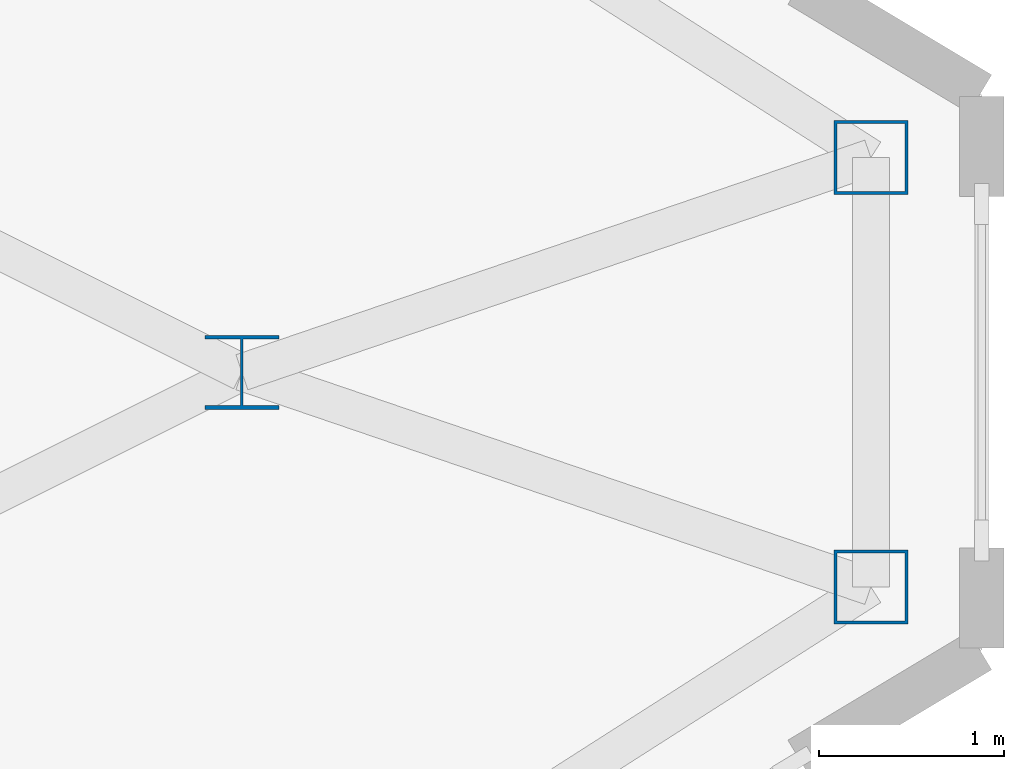
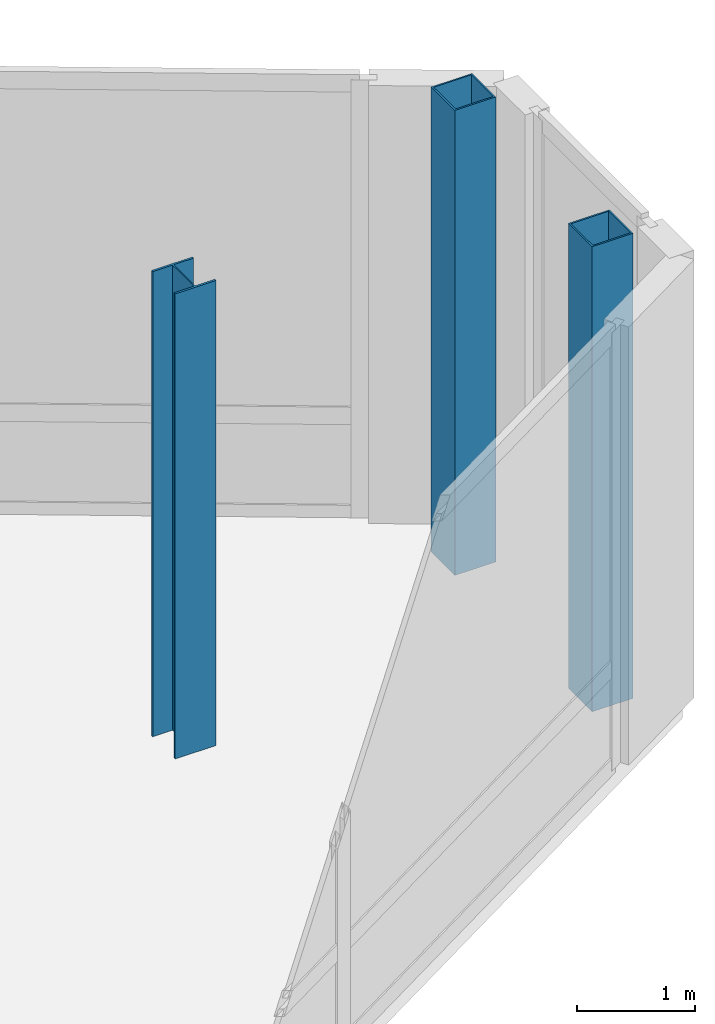
# One storey, part 7 of 28: 3 columns.
"""IFC4 building model written with IfcOpenShell, lengths in metres."""

from ifc_helpers import new_model, si_unit, direction, frame, origin, origin_2d, place, context, subcontext, project, spatial, hollow_rectangle, i_section, extrude, source, transform, mapped, material, material_profile, profile_set, type_object, type_shapes, element, save


model = new_model("IFC4")

# Units and contexts
model_context = context("Model", 3, precision=1e-05, world=origin(), true_north=direction((0.0, 1.0)))
body_context = subcontext(model_context, "Body", "Model", "MODEL_VIEW")
ifc_project = project(units=[si_unit("LENGTHUNIT", "METRE"), si_unit("AREAUNIT", "SQUARE_METRE"), si_unit("VOLUMEUNIT", "CUBIC_METRE"), si_unit("PLANEANGLEUNIT", "RADIAN"), si_unit("MASSUNIT", "GRAM", prefix="KILO")], contexts=[model_context])

# Site, building, storey
site_placement = place(None, origin())
site = spatial("IfcSite", under=ifc_project, at=site_placement, CompositionType="ELEMENT")
building_placement = place(site_placement, origin())
building = spatial("IfcBuilding", under=site, at=building_placement, Name="Seokmaru Belvedere", CompositionType="ELEMENT")
storey_placement = place(building_placement, frame((0.0, 0.0, 274.199951171875)))
storey = spatial("IfcBuildingStorey", under=building, at=storey_placement, Name="L72", CompositionType="ELEMENT", Elevation=274.199951171875)

# Columns
ifc_material = material(Name="Steel SM355 (355 MPa)", Category="steel")
ifc_material_profile_1 = material_profile(ifc_material, hollow_rectangle(XDim=0.39990234375, YDim=0.39990234375, WallThickness=0.01611328125, at=origin_2d()), Name="HSS-400x400x16")
ifc_profile_set_1 = profile_set([ifc_material_profile_1], Name="Steel SM355 (355 MPa)")
column_type_1 = type_object("IfcColumnType", Name="Perimeter Facet Column HSS-400", PredefinedType="COLUMN", material=ifc_profile_set_1)
shared_shape_1 = source(origin(), body_context, "Body", "SweptSolid", [
    extrude(hollow_rectangle(XDim=0.39990234375, YDim=0.39990234375, WallThickness=0.01611328125, at=origin_2d()), origin(), (0.0, 0.0, 1.0), 4.800048828125),
])
type_shapes(column_type_1, [shared_shape_1])
for number, where, z_axis, x_axis, name in (
    (1, (66.89990234375, -1.160400390625, 0.0), (0.0, 0.0, 1.0), (1.0, 0.0, 0.0), "L72 Column EF2"),
    (2, (66.89990234375, 1.160400390625, 0.0), (0.0, 0.0, 1.0), (1.0, 0.0, 0.0), "L72 Column EF3"),
):
    element("IfcColumn", number, at=place(storey_placement, frame(where, z_axis=z_axis, x_axis=x_axis)), inside=storey, type_object=column_type_1, Name=name, PredefinedType="COLUMN", context=body_context, shape_type="MappedRepresentation", body=[
        mapped(shared_shape_1, transform((0.0, 0.0, 0.0), scale=1.0)),
    ])
ifc_material_profile_2 = material_profile(ifc_material, i_section(OverallWidth=0.39990234375, OverallDepth=0.39990234375, WebThickness=0.012939453125, FlangeThickness=0.02099609375, at=origin_2d()), Name="H-400x400x13x21")
ifc_profile_set_2 = profile_set([ifc_material_profile_2], Name="Steel SM355 (355 MPa)")
column_type_2 = type_object("IfcColumnType", Name="Observatory Column H-400", PredefinedType="COLUMN", material=ifc_profile_set_2)
shared_shape_2 = source(origin(), body_context, "Body", "SweptSolid", [
    extrude(i_section(OverallWidth=0.39990234375, OverallDepth=0.39990234375, WebThickness=0.012939453125, FlangeThickness=0.02099609375, at=origin_2d()), origin(), (0.0, 0.0, 1.0), 4.800048828125),
])
type_shapes(column_type_2, [shared_shape_2])
column_placement = place(storey_placement, frame((63.5, 0.0, 0.0), z_axis=(0.0, 0.0, 1.0), x_axis=(1.0, 0.0, 0.0)))
element("IfcColumn", 3, at=column_placement, inside=storey, type_object=column_type_2, Name="L72 Column EG3P_1", PredefinedType="COLUMN", context=body_context, shape_type="MappedRepresentation", body=[
    mapped(shared_shape_2, transform((0.0, 0.0, 0.0), scale=1.0)),
])

save(model, "model.ifc")
